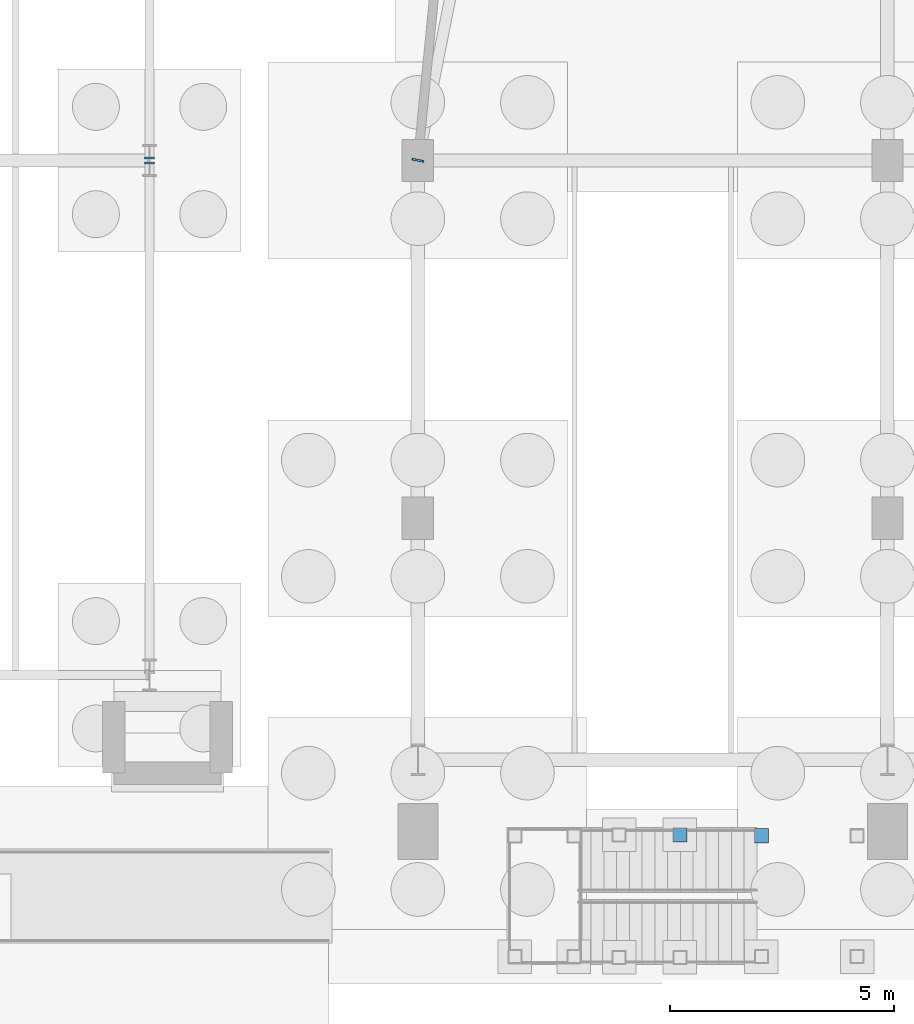
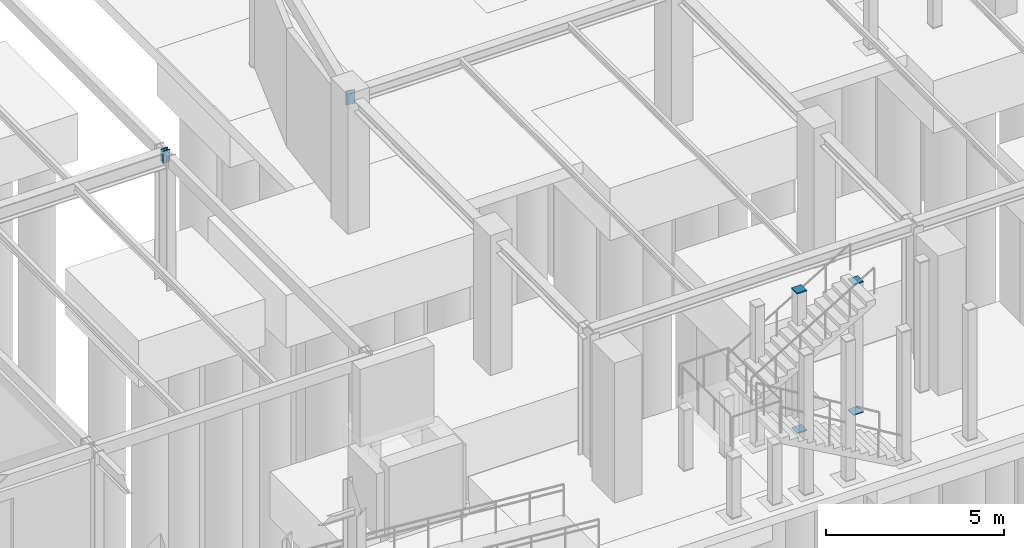
# One storey, part 130 of 160: 7 discrete accessories.
"""IFC4 building model written with IfcOpenShell, lengths in metres."""

from ifc_helpers import new_model, si_unit, direction, frame, origin, origin_2d, place, context, subcontext, project, spatial, rectangle, extrude, material, element, save


model = new_model("IFC4")

# Units and contexts
model_context = context("Model", 3, precision=1e-05, world=origin(), true_north=direction((0.0, 1.0)))
body_context = subcontext(model_context, "Body", "Model", "MODEL_VIEW")
ifc_project = project(units=[si_unit("LENGTHUNIT", "METRE"), si_unit("AREAUNIT", "SQUARE_METRE"), si_unit("VOLUMEUNIT", "CUBIC_METRE"), si_unit("PLANEANGLEUNIT", "RADIAN"), si_unit("MASSUNIT", "GRAM", prefix="KILO")], contexts=[model_context])

# Site, building, storey
site_placement = place(None, origin())
site = spatial("IfcSite", under=ifc_project, at=site_placement, CompositionType="ELEMENT")
building_placement = place(site_placement, origin())
building = spatial("IfcBuilding", under=site, at=building_placement, Name="Marlcrest Central Station", CompositionType="ELEMENT")
storey_placement = place(building_placement, origin())
storey = spatial("IfcBuildingStorey", under=building, at=storey_placement, Name="L00", CompositionType="ELEMENT", Elevation=0.0)

# Discrete accessories
ifc_material = material(Name="Steel S355", Category="steel")
for number, where, z_axis, x_axis, name in (
    (1, (81.0, 110.425048828125, 4.405029296875), (0.0, 1.0, 0.0), (-1.0, 0.0, 0.0), "endcap-bm-SP-01-L00-00219-e"),
    (2, (81.0, 110.53515625, 4.405029296875), (0.0, 1.0, 0.0), (-1.0, 0.0, 0.0), "endcap-bm-SP-01-L00-00222-s"),
):
    element("IfcDiscreteAccessory", number, at=place(storey_placement, frame(where, z_axis=z_axis, x_axis=x_axis)), inside=storey, material=ifc_material, Name=name, ObjectType="END_CAP_PLATE", PredefinedType="BRACKET", context=body_context, shape_type="SweptSolid", body=[
        extrude(rectangle(XDim=0.216064453125, YDim=0.416015625, at=origin_2d()), origin(), (0.0, 0.0, 1.0), 0.0400390625),
    ])
discrete_accessory_placement = place(storey_placement, frame((86.9970703125, 110.4853515625, 4.294921875), z_axis=(0.19517056122, 0.980769316421, 0.0), x_axis=(-0.980769316421, 0.19517056122, 0.0)))
element("IfcDiscreteAccessory", 3, at=discrete_accessory_placement, inside=storey, material=ifc_material, Name="endcap-bm-SP-02-L00-01418-s", ObjectType="END_CAP_PLATE", PredefinedType="BRACKET", context=body_context, shape_type="SweptSolid", body=[
    extrude(rectangle(XDim=0.26611328125, YDim=0.466064453125, at=origin_2d()), origin(), (0.0, 0.0, 1.0), 0.0400390625),
])
for number, where, z_axis, x_axis, name in (
    (4, (94.679931640625, 95.39990234375, -0.014892578125), (0.0, 0.0, 1.0), (1.0, 0.0, 0.0), "endcap-stcol-tr-0025-946-954-s"),
    (5, (94.679931640625, 95.39990234375, 4.455078125), (0.0, 0.0, 1.0), (1.0, 0.0, 0.0), "endcap-stcol-tr-0025-946-954-e"),
    (6, (92.860107421875, 95.419921875, -0.014892578125), (0.0, 0.0, 1.0), (1.0, 0.0, 0.0), "endcap-stcol-hi0-0027-928-954-s"),
    (7, (92.860107421875, 95.419921875, 4.775146484375), (0.0, 0.0, 1.0), (1.0, 0.0, 0.0), "endcap-stcol-hi0-0027-928-954-e"),
):
    element("IfcDiscreteAccessory", number, at=place(storey_placement, frame(where, z_axis=z_axis, x_axis=x_axis)), inside=storey, material=ifc_material, Name=name, ObjectType="END_CAP_PLATE", PredefinedType="BRACKET", context=body_context, shape_type="SweptSolid", body=[
        extrude(rectangle(XDim=0.31591796875, YDim=0.31591796875, at=origin_2d()), origin(), (0.0, 0.0, 1.0), 0.0400390625),
    ])

save(model, "model.ifc")
